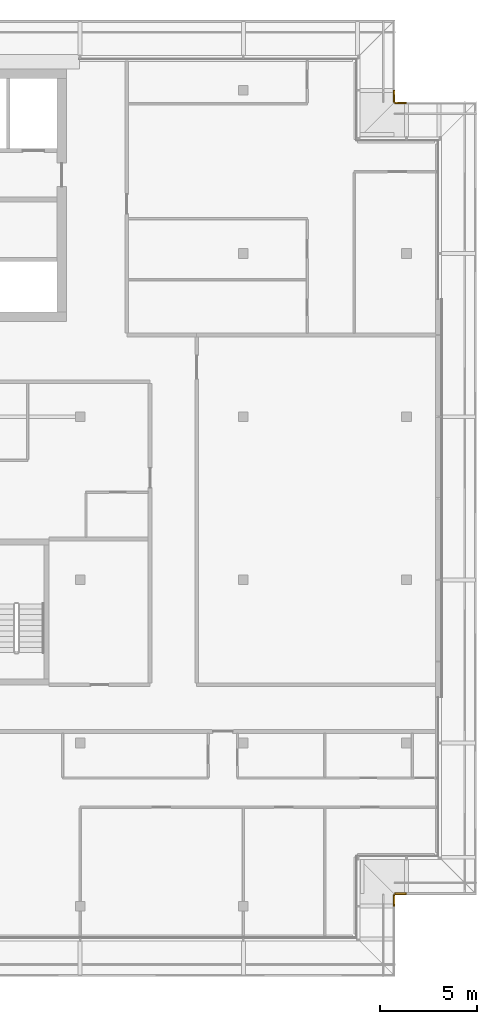
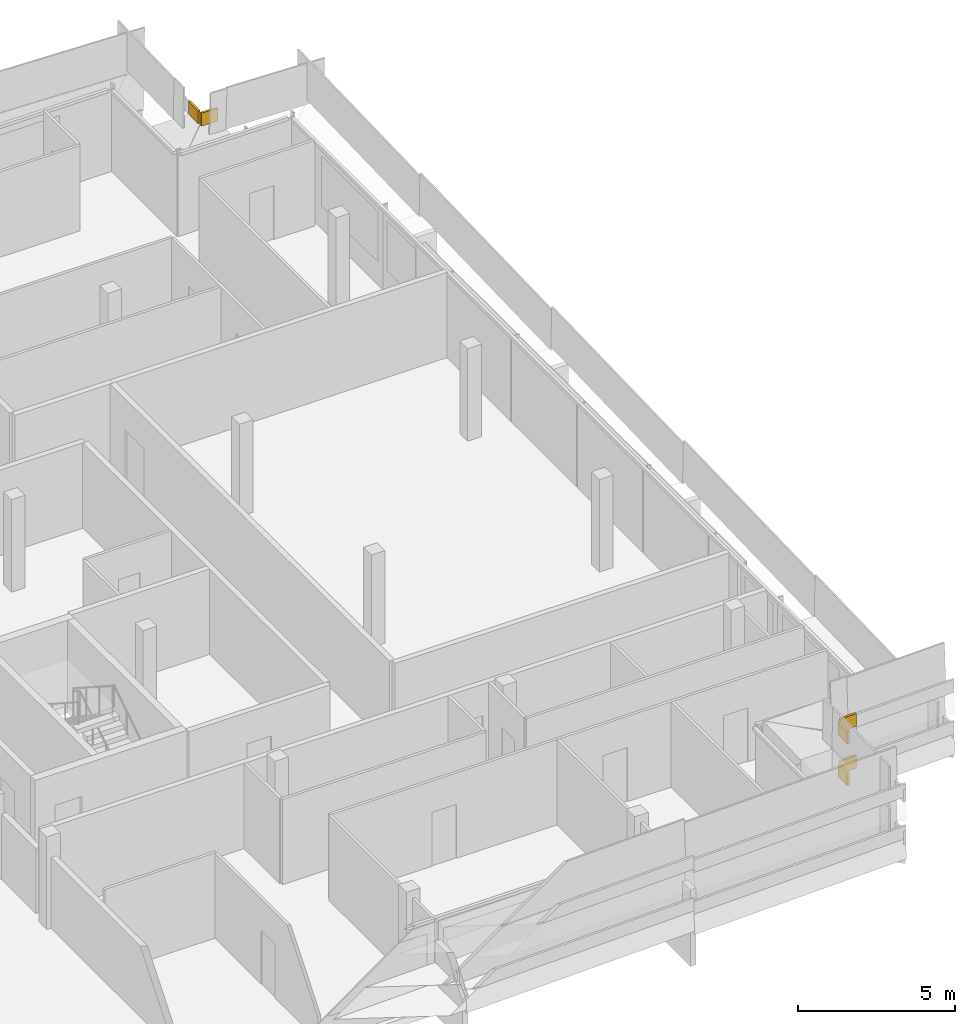
# One storey, part 33 of 33: 6 coverings.
"""IFC4 building model written with IfcOpenShell, lengths in metres."""

import ifcopenshell
import ifcopenshell.guid

model = None  # the IFC model being written
_history = None  # IfcOwnerHistory: only IFC2X3 demands one
_inside = {}  # id of a spatial element -> (the spatial element, [elements in it])
_under = {}  # id of a project, library or spatial element -> (it, [spatial elements below it])
_declared = {}  # id of a project -> (the project, [libraries it declares])
_typed = {}  # id of a type object -> (the type object, [elements of that type])
_made_of = {}  # id of a material, layer set ... -> (it, [elements and type objects made of it])


def new_model(schema):
    """Start an empty IFC model of exactly this schema.

    Asked for "IFC4X3", IfcOpenShell would pick the latest addendum, in which some entities
    have other attributes; the version numbers below select the first issue.
    IFC2X3 requires an IfcOwnerHistory on every rooted entity: one is made here for all.
    """
    global model, _history
    if schema == "IFC4X3":
        model = ifcopenshell.file(schema_version=(4, 3, 0, 0))
    else:
        model = ifcopenshell.file(schema=schema)
    _inside.clear()
    _under.clear()
    _declared.clear()
    _typed.clear()
    _made_of.clear()
    _history = None
    if model.schema == "IFC2X3":
        org = make("IfcOrganization", Name="unknown")
        user = make(
            "IfcPersonAndOrganization",
            ThePerson=make("IfcPerson", FamilyName="unknown"),
            TheOrganization=org,
        )
        app = make(
            "IfcApplication",
            ApplicationDeveloper=org,
            Version="unknown",
            ApplicationFullName="unknown",
            ApplicationIdentifier="unknown",
        )
        _history = make(
            "IfcOwnerHistory",
            OwningUser=user,
            OwningApplication=app,
            ChangeAction="ADDED",
            CreationDate=0,
        )
    return model


def make(cls, **values):
    """One entity of the class cls with the attributes given. An attribute that is None is left unset."""
    return model.create_entity(
        cls, **{name: value for name, value in values.items() if value is not None}
    )


def rooted(cls, **values):
    """An entity with a GlobalId (a new one), such as an element, a storey or a relation."""
    return make(cls, GlobalId=ifcopenshell.guid.new(), OwnerHistory=_history, **values)


def si_unit(unit_type, name, prefix=None):
    """IfcSIUnit, for example si_unit("LENGTHUNIT", "METRE", prefix="MILLI")."""
    return make("IfcSIUnit", UnitType=unit_type, Prefix=prefix, Name=name)


def assignment(units):
    """IfcUnitAssignment: the units of a project."""
    return None if units is None else make("IfcUnitAssignment", Units=units)


def point(xyz):
    """IfcCartesianPoint."""
    return None if xyz is None else make("IfcCartesianPoint", Coordinates=xyz)


def direction(xyz):
    """IfcDirection."""
    return None if xyz is None else make("IfcDirection", DirectionRatios=xyz)


def frame(location, z_axis=None, x_axis=None):
    """IfcAxis2Placement3D, a coordinate frame: its origin and axes. An axis left out is left unset."""
    return make(
        "IfcAxis2Placement3D",
        Location=point(location),
        Axis=direction(z_axis),
        RefDirection=direction(x_axis),
    )


def origin():
    """The frame at (0, 0, 0) with its axes left unset."""
    return frame((0.0, 0.0, 0.0))


def place(relative_to, where):
    """IfcLocalPlacement: puts the frame where relative to a parent placement (None: the world)."""
    return make(
        "IfcLocalPlacement", PlacementRelTo=relative_to, RelativePlacement=where
    )


def context(
    kind, dimensions, precision=None, world=None, true_north=None, identifier=None
):
    """IfcGeometricRepresentationContext, for example the 3D "Model" context."""
    return make(
        "IfcGeometricRepresentationContext",
        ContextIdentifier=identifier,
        ContextType=kind,
        CoordinateSpaceDimension=dimensions,
        Precision=precision,
        WorldCoordinateSystem=world,
        TrueNorth=true_north,
    )


def subcontext(parent, identifier, kind, view, scale=None):
    """IfcGeometricRepresentationSubContext, for example "Body" below "Model"."""
    return make(
        "IfcGeometricRepresentationSubContext",
        ContextIdentifier=identifier,
        ContextType=kind,
        ParentContext=parent,
        TargetScale=scale,
        TargetView=view,
    )


def project(units=None, contexts=None):
    """IfcProject with its units and contexts."""
    return rooted(
        "IfcProject",
        Name="project",
        RepresentationContexts=contexts,
        UnitsInContext=assignment(units),
    )


def spatial(cls, under=None, at=None, **own):
    """A site, building, storey or space (cls), placed at a placement, below another one or the project."""
    s = rooted(cls, ObjectPlacement=at, **own)
    if under is not None:
        _under.setdefault(under.id(), (under, []))[1].append(s)
    return s


def polyline(points):
    """IfcPolyline through the points."""
    return make("IfcPolyline", Points=[point(p) for p in points])


def outline(outer, holes=None, kind="AREA"):
    """IfcArbitraryClosedProfileDef: a profile drawn as a closed curve; with holes, ...WithVoids."""
    if holes is None:
        return make("IfcArbitraryClosedProfileDef", ProfileType=kind, OuterCurve=outer)
    return make(
        "IfcArbitraryProfileDefWithVoids",
        ProfileType=kind,
        OuterCurve=outer,
        InnerCurves=holes,
    )


def extrude(swept, where, along, depth):
    """IfcExtrudedAreaSolid: the profile swept, set in the frame where, extruded along a direction by depth."""
    return make(
        "IfcExtrudedAreaSolid",
        SweptArea=swept,
        Position=where,
        ExtrudedDirection=direction(along),
        Depth=depth,
    )


def shape(context_of_items, identifier, shape_type, items):
    """IfcShapeRepresentation: the items that make up one representation, for example the "Body"."""
    return make(
        "IfcShapeRepresentation",
        ContextOfItems=context_of_items,
        RepresentationIdentifier=identifier,
        RepresentationType=shape_type,
        Items=items,
    )


def material(Name=None, Category=None):
    """IfcMaterial."""
    return make("IfcMaterial", Name=Name, Category=Category)


def layer(
    of_material, thickness, ventilated=None, Name=None, Category=None, Priority=None
):
    """IfcMaterialLayer: one layer of a wall or slab, of a material (None: an air gap)."""
    return make(
        "IfcMaterialLayer",
        Material=of_material,
        LayerThickness=thickness,
        IsVentilated=ventilated,
        Name=Name,
        Category=Category,
        Priority=Priority,
    )


def layer_set(layers, Name=None):
    """IfcMaterialLayerSet."""
    return make("IfcMaterialLayerSet", MaterialLayers=layers, LayerSetName=Name)


def made_of(thing, what):
    """Note that an element or type object is made of a material, layer set ...; save() writes the relation."""
    if what is not None:
        _made_of.setdefault(what.id(), (what, []))[1].append(thing)
    return thing


def type_object(cls, material=None, **own):
    """A type object (cls), such as IfcWallType, which elements share."""
    return made_of(rooted(cls, **own), material)


def element(
    cls,
    number,
    at=None,
    inside=None,
    cuts=None,
    type_object=None,
    material=None,
    context=None,
    identifier="Body",
    shape_type=None,
    held_by="IfcProductDefinitionShape",
    body=None,
    shapes=None,
    **own,
):
    """One element of the class cls, such as IfcWall. Its Tag is "e" and its number.

    at: its placement. inside: the storey or other place that contains it. cuts: it is an
    opening in that element (IfcRelVoidsElement). A single representation is given by context,
    identifier, shape_type and body (its items); several are given by shapes. held_by: the class
    of the entity that holds the representations. save() writes the other relations.
    """
    e = rooted(cls, Tag="e%d" % number, ObjectPlacement=at, **own)
    if body is not None:
        shapes = [shape(context, identifier, shape_type, body)]
    if shapes is not None:
        e.Representation = make(held_by, Representations=shapes)
    if inside is not None:
        _inside.setdefault(inside.id(), (inside, []))[1].append(e)
    if cuts is not None:
        rooted(
            "IfcRelVoidsElement", RelatingBuildingElement=cuts, RelatedOpeningElement=e
        )
    if type_object is not None:
        _typed.setdefault(type_object.id(), (type_object, []))[1].append(e)
    return made_of(e, material)


def aggregate(whole, parts):
    """IfcRelAggregates: a whole, such as a stair, and the parts it consists of."""
    return rooted("IfcRelAggregates", RelatingObject=whole, RelatedObjects=parts)


def save(model, path):
    """Write the relations noted so far, then the file.

    IfcRelAggregates (storeys below a building ...), IfcRelContainedInSpatialStructure (elements
    in a storey), IfcRelDefinesByType, IfcRelAssociatesMaterial and IfcRelDeclares: one each for
    every whole, place, type object, material and project.
    """
    for whole, parts in _under.values():
        aggregate(whole, parts)
    for where, things in _inside.values():
        rooted(
            "IfcRelContainedInSpatialStructure",
            RelatedElements=things,
            RelatingStructure=where,
        )
    for kind, things in _typed.values():
        rooted("IfcRelDefinesByType", RelatedObjects=things, RelatingType=kind)
    for what, things in _made_of.values():
        rooted("IfcRelAssociatesMaterial", RelatedObjects=things, RelatingMaterial=what)
    for by, libraries in _declared.values():
        rooted("IfcRelDeclares", RelatingContext=by, RelatedDefinitions=libraries)
    model.write(path)


model = new_model("IFC4")

# Units and contexts
model_context = context("Model", 3, precision=1e-05, world=origin(), true_north=direction((0.0, 1.0)))
body_context = subcontext(model_context, "Body", "Model", "MODEL_VIEW")
ifc_project = project(units=[si_unit("LENGTHUNIT", "METRE"), si_unit("AREAUNIT", "SQUARE_METRE"), si_unit("VOLUMEUNIT", "CUBIC_METRE"), si_unit("PLANEANGLEUNIT", "RADIAN"), si_unit("MASSUNIT", "GRAM", prefix="KILO")], contexts=[model_context])

# Site, building, storey
site_placement = place(None, origin())
site = spatial("IfcSite", under=ifc_project, at=site_placement, CompositionType="ELEMENT")
building_placement = place(site_placement, origin())
building = spatial("IfcBuilding", under=site, at=building_placement, Name="Saffron Gate Tower", CompositionType="ELEMENT")
storey_placement = place(building_placement, frame((0.0, 0.0, 263.550048828125)))
storey = spatial("IfcBuildingStorey", under=building, at=storey_placement, Name="L63", CompositionType="ELEMENT", Elevation=263.550048828125)

# Coverings
ifc_material = material(Name="Timber, thermally modified ash", Category="wood")
ifc_layer = layer(ifc_material, 0.080078125)
ifc_layer_set = layer_set([ifc_layer], Name="LD2 ledge planter trough")
covering_type = type_object("IfcCoveringType", Name="LD2 ledge planter trough", PredefinedType="CLADDING", material=ifc_layer_set)
for number, where, z_axis, x_axis, name in (
    (1, (124.800048828125, 31.800048828125, 1.84765625), (1.0, 0.0, 0.0), (0.0, 0.999582742162, 0.028884971385), "LEDGE planter trough"),
    (2, (124.800048828125, 32.39990234375, 1.9306640625), (0.0, -1.0, 0.0), (0.999582742162, 0.0, 0.028884971385), "LEDGE planter trough"),
    (3, (125.39990234375, 73.199951171875, 2.44287109375), (0.0, 1.0, 0.0), (-0.999582742162, 0.0, 0.028884971385), "LEDGE planter trough"),
):
    element("IfcCovering", number, at=place(storey_placement, frame(where, z_axis=z_axis, x_axis=x_axis)), inside=storey, type_object=covering_type, Name=name, PredefinedType="CLADDING", context=body_context, shape_type="SweptSolid", body=[
        extrude(outline(polyline([(0.0, 0.0), (0.6001039136866089, 0.0), (0.614546399379222, 0.4997913710809928), (0.014442485692613144, 0.49979137108099286), (0.0, 0.0)])), origin(), (0.0, 0.0, -1.0), 0.080078125),
    ])
covering_placement = place(storey_placement, frame((124.800048828125, 73.199951171875, 2.52587890625), z_axis=(1.0, 0.0, 0.0), x_axis=(0.0, 0.999583081391, 0.028873229772)))
element("IfcCovering", 4, at=covering_placement, inside=storey, type_object=covering_type, Name="LEDGE planter trough", PredefinedType="CLADDING", context=body_context, shape_type="SweptSolid", body=[
    extrude(outline(polyline([(0.0, 0.0), (0.6003479524834376, -3.469446951953614e-18), (0.6147845673692678, 0.4997915406953566), (0.014436614885830073, 0.4997915406953566), (0.0, 0.0)])), origin(), (0.0, 0.0, -1.0), 0.080078125),
])
for number, where, z_axis, x_axis, name in (
    (5, (124.800048828125, 31.800048828125, 3.4765625), (1.0, 0.0, 0.0), (0.0, 0.999582742162, 0.028884971385), "LEDGE planter trough"),
    (6, (124.800048828125, 32.39990234375, 3.559814453125), (0.0, -1.0, 0.0), (0.999582742162, 0.0, 0.028884971385), "LEDGE planter trough"),
):
    element("IfcCovering", number, at=place(storey_placement, frame(where, z_axis=z_axis, x_axis=x_axis)), inside=storey, type_object=covering_type, Name=name, PredefinedType="CLADDING", context=body_context, shape_type="SweptSolid", body=[
        extrude(outline(polyline([(0.0, 0.0), (0.6001039136866089, 0.0), (0.614546399379222, 0.4997913710809928), (0.014442485692613144, 0.49979137108099286), (0.0, 0.0)])), origin(), (0.0, 0.0, -1.0), 0.080078125),
    ])

save(model, "model.ifc")
